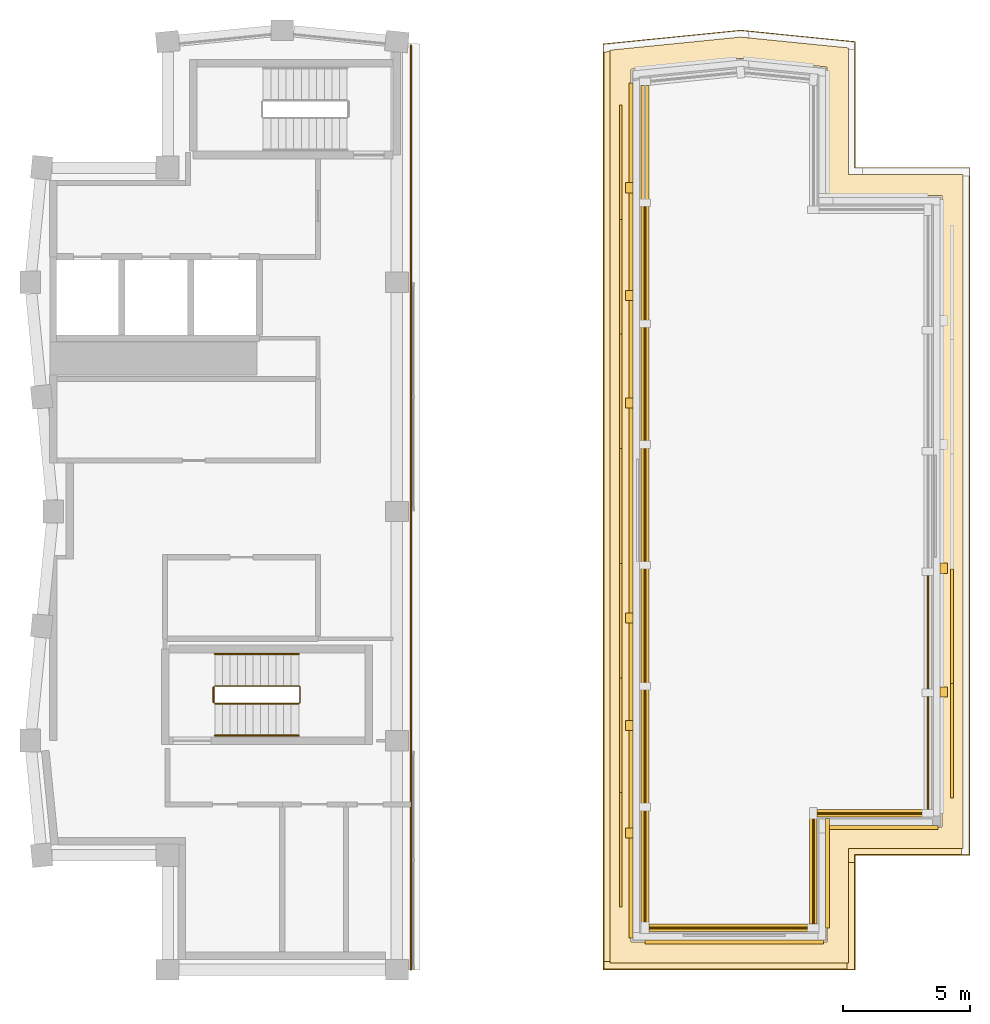
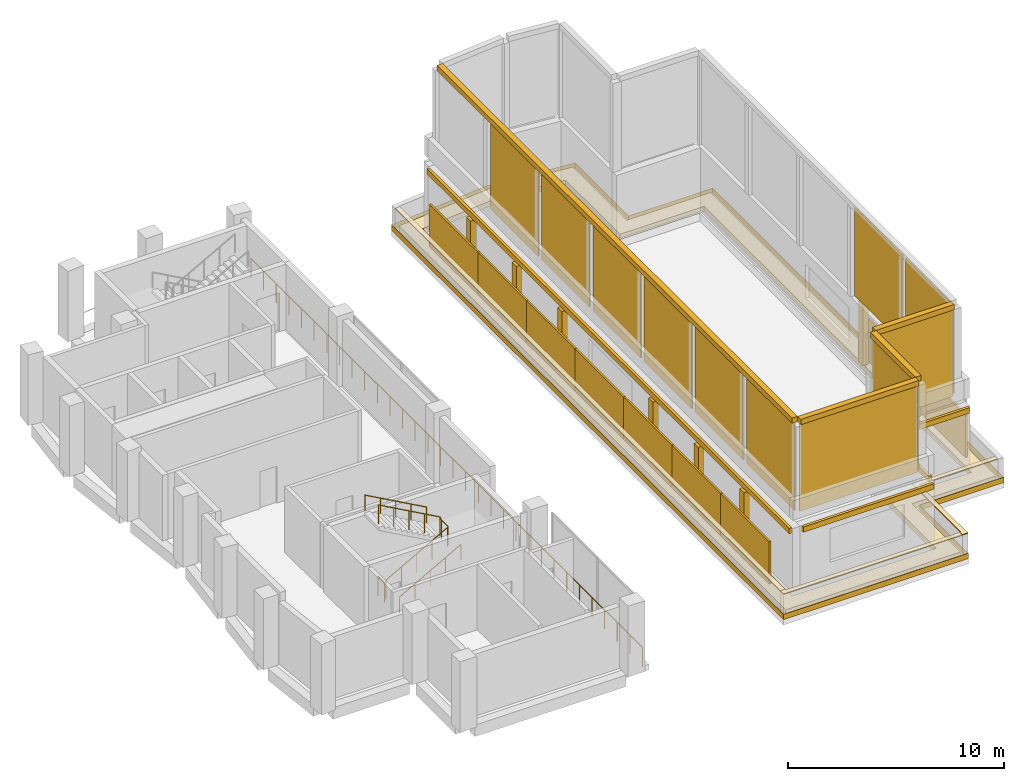
# One storey, part 7 of 8: 42 coverings, 5 railings.
"""IFC4 building model written with IfcOpenShell, lengths in metres."""

from ifc_helpers import new_model, si_unit, direction, frame, origin, origin_2d, place, context, subcontext, project, spatial, polyline, rectangle, circle, outline, extrude, material, layer, layer_set, material_profile, profile_set, type_object, element, save


model = new_model("IFC4")

# Units and contexts
model_context = context("Model", 3, precision=1e-05, world=origin(), true_north=direction((0.0, 1.0)))
body_context = subcontext(model_context, "Body", "Model", "MODEL_VIEW")
ifc_project = project(units=[si_unit("LENGTHUNIT", "METRE"), si_unit("AREAUNIT", "SQUARE_METRE"), si_unit("VOLUMEUNIT", "CUBIC_METRE"), si_unit("PLANEANGLEUNIT", "RADIAN"), si_unit("MASSUNIT", "GRAM", prefix="KILO")], contexts=[model_context])

# Site, building, storey
site_placement = place(None, origin())
site = spatial("IfcSite", under=ifc_project, at=site_placement, CompositionType="ELEMENT")
building_placement = place(site_placement, origin())
building = spatial("IfcBuilding", under=site, at=building_placement, Name="Brondeck Convention Tower", CompositionType="ELEMENT")
storey_placement = place(building_placement, frame((0.0, 0.0, 298.800048828125)))
storey = spatial("IfcBuildingStorey", under=building, at=storey_placement, Name="L74", CompositionType="ELEMENT", Elevation=298.800048828125)

# Coverings
ifc_material_1 = material(Name="Precast concrete C50/60", Category="concrete")
ifc_material_profile = material_profile(ifc_material_1, rectangle(XDim=0.300048828125, YDim=0.300048828125, at=origin_2d()), Name="Crown cap 300 x 300 Precast concrete C50/60")
ifc_profile_set = profile_set([ifc_material_profile], Name="Precast concrete C50/60")
covering_type_1 = type_object("IfcCoveringType", Name="Crown cap 300 x 300 Precast concrete C50/60", PredefinedType="MOLDING", material=ifc_profile_set)
covering_1_placement = place(storey_placement, frame((23.39501953125, 28.64501953125, 9.64990234375), z_axis=(1.0, 0.0, 0.0), x_axis=(0.0, 1.0, 0.0)))
element("IfcCovering", 1, at=covering_1_placement, inside=storey, type_object=covering_type_1, Name="ENV-CB-K2-T1-00", PredefinedType="MOLDING", context=body_context, shape_type="SweptSolid", body=[
    extrude(rectangle(XDim=0.300048828125, YDim=0.300048828125, at=origin_2d()), origin(), (0.0, 0.0, 1.0), 6.31005859375),
])
for number, where, z_axis, x_axis, name in (
    (2, (29.85498046875, 28.794921875, 9.64990234375), (0.0, 1.0, 0.0), (-1.0, 0.0, 0.0), "ENV-CB-K2-T1-01"),
    (3, (30.0048828125, 33.14501953125, 9.64990234375), (1.0, 0.0, 0.0), (0.0, 1.0, 0.0), "ENV-CB-K2-T1-02"),
):
    element("IfcCovering", number, at=place(storey_placement, frame(where, z_axis=z_axis, x_axis=x_axis)), inside=storey, type_object=covering_type_1, Name=name, PredefinedType="MOLDING", context=body_context, shape_type="SweptSolid", body=[
        extrude(rectangle(XDim=0.300048828125, YDim=0.300048828125, at=origin_2d()), origin(), (0.0, 0.0, 1.0), 4.2001953125),
    ])
covering_2_placement = place(storey_placement, frame((23.2451171875, 61.72119140625, 9.64990234375), z_axis=(0.0, -1.0, 0.0), x_axis=(1.0, 0.0, 0.0)))
element("IfcCovering", 4, at=covering_2_placement, inside=storey, type_object=covering_type_1, Name="ENV-CB-K2-T1-08", PredefinedType="MOLDING", context=body_context, shape_type="SweptSolid", body=[
    extrude(rectangle(XDim=0.300048828125, YDim=0.300048828125, at=origin_2d()), origin(), (0.0, 0.0, 1.0), 32.92626953125),
])
ifc_material_2 = material(Name="Aluminium, bronze anodised", Category="aluminium")
ifc_layer_1 = layer(ifc_material_2, 0.06005859375)
ifc_layer_set_1 = layer_set([ifc_layer_1], Name="Crown louvre panel, bronze anodised aluminium")
covering_type_2 = type_object("IfcCoveringType", Name="Crown louvre panel, bronze anodised aluminium", PredefinedType="CLADDING", material=ifc_layer_set_1)
covering_3_placement = place(storey_placement, frame((0.0, 0.0, 4.52001953125)))
element("IfcCovering", 5, at=covering_3_placement, inside=storey, type_object=covering_type_2, Name="ENV-CL-K2-T1-00-0", PredefinedType="CLADDING", context=body_context, shape_type="SweptSolid", body=[
    extrude(outline(polyline([(29.705078125, 28.675048828125), (23.39501953125, 28.675048828125), (23.39501953125, 28.614990234375), (29.705078125, 28.614990234375), (29.705078125, 28.675048828125)])), origin(), (0.0, 0.0, 1.0), 4.97998046875),
])
covering_4_placement = place(storey_placement, frame((0.0, 0.0, 4.52001953125)))
element("IfcCovering", 6, at=covering_4_placement, inside=storey, type_object=covering_type_2, Name="ENV-CL-K2-T1-01-0", PredefinedType="CLADDING", context=body_context, shape_type="SweptSolid", body=[
    extrude(outline(polyline([(29.824951171875, 32.9951171875), (29.824951171875, 28.794921875), (29.885009765625, 28.794921875), (29.885009765625, 32.9951171875), (29.824951171875, 32.9951171875)])), origin(), (0.0, 0.0, 1.0), 4.97998046875),
])
covering_5_placement = place(storey_placement, frame((0.0, 0.0, 4.52001953125)))
element("IfcCovering", 7, at=covering_5_placement, inside=storey, type_object=covering_type_2, Name="ENV-CL-K2-T1-02-0", PredefinedType="CLADDING", context=body_context, shape_type="SweptSolid", body=[
    extrude(outline(polyline([(34.205078125, 33.175048828125), (30.0048828125, 33.175048828125), (30.0048828125, 33.114990234375), (34.205078125, 33.114990234375), (34.205078125, 33.175048828125)])), origin(), (0.0, 0.0, 1.0), 4.97998046875),
])
covering_6_placement = place(storey_placement, frame((0.0, 0.0, 4.52001953125)))
element("IfcCovering", 8, at=covering_6_placement, inside=storey, type_object=covering_type_2, Name="ENV-CL-K2-T1-03-0", PredefinedType="CLADDING", context=body_context, shape_type="SweptSolid", body=[
    extrude(outline(polyline([(34.324951171875, 37.737060546875), (34.324951171875, 33.294921875), (34.385009765625, 33.294921875), (34.385009765625, 37.737060546875), (34.324951171875, 37.737060546875)])), origin(), (0.0, 0.0, 1.0), 4.97998046875),
])
covering_7_placement = place(storey_placement, frame((0.0, 0.0, 4.52001953125)))
element("IfcCovering", 9, at=covering_7_placement, inside=storey, type_object=covering_type_2, Name="ENV-CL-K2-T1-03-1", PredefinedType="CLADDING", context=body_context, shape_type="SweptSolid", body=[
    extrude(outline(polyline([(34.324951171875, 42.47900390625), (34.324951171875, 38.037109375), (34.385009765625, 38.037109375), (34.385009765625, 42.47900390625), (34.324951171875, 42.47900390625)])), origin(), (0.0, 0.0, 1.0), 4.97998046875),
])
covering_8_placement = place(storey_placement, frame((0.0, 0.0, 4.52001953125)))
element("IfcCovering", 10, at=covering_8_placement, inside=storey, type_object=covering_type_2, Name="ENV-CL-K2-T1-08-1", PredefinedType="CLADDING", context=body_context, shape_type="SweptSolid", body=[
    extrude(outline(polyline([(23.27490234375, 52.528076171875), (23.27490234375, 56.974609375), (23.215087890625, 56.974609375), (23.215087890625, 52.528076171875), (23.27490234375, 52.528076171875)])), origin(), (0.0, 0.0, 1.0), 4.97998046875),
])
covering_9_placement = place(storey_placement, frame((0.0, 0.0, 4.52001953125)))
element("IfcCovering", 11, at=covering_9_placement, inside=storey, type_object=covering_type_2, Name="ENV-CL-K2-T1-08-2", PredefinedType="CLADDING", context=body_context, shape_type="SweptSolid", body=[
    extrude(outline(polyline([(23.27490234375, 47.781494140625), (23.27490234375, 52.22802734375), (23.215087890625, 52.22802734375), (23.215087890625, 47.781494140625), (23.27490234375, 47.781494140625)])), origin(), (0.0, 0.0, 1.0), 4.97998046875),
])
covering_10_placement = place(storey_placement, frame((0.0, 0.0, 4.52001953125)))
element("IfcCovering", 12, at=covering_10_placement, inside=storey, type_object=covering_type_2, Name="ENV-CL-K2-T1-08-3", PredefinedType="CLADDING", context=body_context, shape_type="SweptSolid", body=[
    extrude(outline(polyline([(23.27490234375, 43.034912109375), (23.27490234375, 47.4814453125), (23.215087890625, 47.4814453125), (23.215087890625, 43.034912109375), (23.27490234375, 43.034912109375)])), origin(), (0.0, 0.0, 1.0), 4.97998046875),
])
covering_11_placement = place(storey_placement, frame((0.0, 0.0, 4.52001953125)))
element("IfcCovering", 13, at=covering_11_placement, inside=storey, type_object=covering_type_2, Name="ENV-CL-K2-T1-08-4", PredefinedType="CLADDING", context=body_context, shape_type="SweptSolid", body=[
    extrude(outline(polyline([(23.27490234375, 38.2880859375), (23.27490234375, 42.73486328125), (23.215087890625, 42.73486328125), (23.215087890625, 38.2880859375), (23.27490234375, 38.2880859375)])), origin(), (0.0, 0.0, 1.0), 4.97998046875),
])
covering_12_placement = place(storey_placement, frame((0.0, 0.0, 4.52001953125)))
element("IfcCovering", 14, at=covering_12_placement, inside=storey, type_object=covering_type_2, Name="ENV-CL-K2-T1-08-5", PredefinedType="CLADDING", context=body_context, shape_type="SweptSolid", body=[
    extrude(outline(polyline([(23.27490234375, 33.54150390625), (23.27490234375, 37.98828125), (23.215087890625, 37.98828125), (23.215087890625, 33.54150390625), (23.27490234375, 33.54150390625)])), origin(), (0.0, 0.0, 1.0), 4.97998046875),
])
covering_13_placement = place(storey_placement, frame((0.0, 0.0, 4.52001953125)))
element("IfcCovering", 15, at=covering_13_placement, inside=storey, type_object=covering_type_2, Name="ENV-CL-K2-T1-08-6", PredefinedType="CLADDING", context=body_context, shape_type="SweptSolid", body=[
    extrude(outline(polyline([(23.27490234375, 28.794921875), (23.27490234375, 33.24169921875), (23.215087890625, 33.24169921875), (23.215087890625, 28.794921875), (23.27490234375, 28.794921875)])), origin(), (0.0, 0.0, 1.0), 4.97998046875),
])
ifc_material_3 = material(Name="Precast concrete C50/60 bronze finish", Category="concrete")
ifc_layer_2 = layer(ifc_material_3, 0.300048828125)
ifc_layer_set_2 = layer_set([ifc_layer_2], Name="Crown pilaster 400x300")
covering_type_3 = type_object("IfcCoveringType", Name="Crown pilaster 400x300", PredefinedType="CLADDING", material=ifc_layer_set_2)
covering_14_placement = place(storey_placement, frame((0.0, 0.0, 0.300048828125)))
element("IfcCovering", 16, at=covering_14_placement, inside=storey, type_object=covering_type_3, Name="ENV-CP-K2-T1-04-03", PredefinedType="CLADDING", context=body_context, shape_type="SweptSolid", body=[
    extrude(outline(polyline([(35.1298828125, 42.56884765625), (35.1298828125, 42.96875), (34.830078125, 42.96875), (34.830078125, 42.56884765625), (35.1298828125, 42.56884765625)])), origin(), (0.0, 0.0, 1.0), 3.449951171875),
])
covering_15_placement = place(storey_placement, frame((0.0, 0.0, 0.300048828125)))
element("IfcCovering", 17, at=covering_15_placement, inside=storey, type_object=covering_type_3, Name="ENV-CP-K2-T1-04-04", PredefinedType="CLADDING", context=body_context, shape_type="SweptSolid", body=[
    extrude(outline(polyline([(35.1298828125, 37.70849609375), (35.1298828125, 38.1083984375), (34.830078125, 38.1083984375), (34.830078125, 37.70849609375), (35.1298828125, 37.70849609375)])), origin(), (0.0, 0.0, 1.0), 3.449951171875),
])
covering_16_placement = place(storey_placement, frame((0.0, 0.0, 0.300048828125)))
element("IfcCovering", 18, at=covering_16_placement, inside=storey, type_object=covering_type_3, Name="ENV-CP-K2-T1-09-01", PredefinedType="CLADDING", context=body_context, shape_type="SweptSolid", body=[
    extrude(outline(polyline([(22.469970703125, 32.57275390625), (22.469970703125, 32.1728515625), (22.77001953125, 32.1728515625), (22.77001953125, 32.57275390625), (22.469970703125, 32.57275390625)])), origin(), (0.0, 0.0, 1.0), 3.449951171875),
])
covering_17_placement = place(storey_placement, frame((0.0, 0.0, 0.300048828125)))
element("IfcCovering", 19, at=covering_17_placement, inside=storey, type_object=covering_type_3, Name="ENV-CP-K2-T1-09-02", PredefinedType="CLADDING", context=body_context, shape_type="SweptSolid", body=[
    extrude(outline(polyline([(22.469970703125, 36.795654296875), (22.469970703125, 36.3955078125), (22.77001953125, 36.3955078125), (22.77001953125, 36.795654296875), (22.469970703125, 36.795654296875)])), origin(), (0.0, 0.0, 1.0), 3.449951171875),
])
covering_18_placement = place(storey_placement, frame((0.0, 0.0, 0.300048828125)))
element("IfcCovering", 20, at=covering_18_placement, inside=storey, type_object=covering_type_3, Name="ENV-CP-K2-T1-09-03", PredefinedType="CLADDING", context=body_context, shape_type="SweptSolid", body=[
    extrude(outline(polyline([(22.469970703125, 41.018310546875), (22.469970703125, 40.618408203125), (22.77001953125, 40.618408203125), (22.77001953125, 41.018310546875), (22.469970703125, 41.018310546875)])), origin(), (0.0, 0.0, 1.0), 3.449951171875),
])
covering_19_placement = place(storey_placement, frame((0.0, 0.0, 0.300048828125)))
element("IfcCovering", 21, at=covering_19_placement, inside=storey, type_object=covering_type_3, Name="ENV-CP-K2-T1-09-05", PredefinedType="CLADDING", context=body_context, shape_type="SweptSolid", body=[
    extrude(outline(polyline([(22.469970703125, 49.4638671875), (22.469970703125, 49.06396484375), (22.77001953125, 49.06396484375), (22.77001953125, 49.4638671875), (22.469970703125, 49.4638671875)])), origin(), (0.0, 0.0, 1.0), 3.449951171875),
])
covering_20_placement = place(storey_placement, frame((0.0, 0.0, 0.300048828125)))
element("IfcCovering", 22, at=covering_20_placement, inside=storey, type_object=covering_type_3, Name="ENV-CP-K2-T1-09-06", PredefinedType="CLADDING", context=body_context, shape_type="SweptSolid", body=[
    extrude(outline(polyline([(22.469970703125, 53.686767578125), (22.469970703125, 53.28662109375), (22.77001953125, 53.28662109375), (22.77001953125, 53.686767578125), (22.469970703125, 53.686767578125)])), origin(), (0.0, 0.0, 1.0), 3.449951171875),
])
covering_21_placement = place(storey_placement, frame((0.0, 0.0, 0.300048828125)))
element("IfcCovering", 23, at=covering_21_placement, inside=storey, type_object=covering_type_3, Name="ENV-CP-K2-T1-09-07", PredefinedType="CLADDING", context=body_context, shape_type="SweptSolid", body=[
    extrude(outline(polyline([(22.469970703125, 57.909423828125), (22.469970703125, 57.509521484375), (22.77001953125, 57.509521484375), (22.77001953125, 57.909423828125), (22.469970703125, 57.909423828125)])), origin(), (0.0, 0.0, 1.0), 3.449951171875),
])
ifc_layer_3 = layer(ifc_material_3, 0.14990234375)
ifc_layer_set_3 = layer_set([ifc_layer_3], Name="Crown tier cornice, precast")
covering_type_4 = type_object("IfcCoveringType", Name="Crown tier cornice, precast", PredefinedType="MOLDING", material=ifc_layer_set_3)
covering_22_placement = place(storey_placement, frame((0.0, 0.0, 3.75)))
element("IfcCovering", 24, at=covering_22_placement, inside=storey, type_object=covering_type_4, Name="ENV-CC-K2-T1-01", PredefinedType="MOLDING", context=body_context, shape_type="SweptSolid", body=[
    extrude(outline(polyline([(23.25, 28.02001953125), (30.25, 28.02001953125), (30.25, 28.169921875), (23.25, 28.169921875), (23.25, 28.02001953125)])), origin(), (0.0, 0.0, 1.0), 0.300048828125),
])
covering_23_placement = place(storey_placement, frame((0.0, 0.0, 3.75)))
element("IfcCovering", 25, at=covering_23_placement, inside=storey, type_object=covering_type_4, Name="ENV-CC-K2-T1-02", PredefinedType="MOLDING", context=body_context, shape_type="SweptSolid", body=[
    extrude(outline(polyline([(30.47998046875, 28.64990234375), (30.47998046875, 32.949951171875), (30.330078125, 32.949951171875), (30.330078125, 28.64990234375), (30.47998046875, 28.64990234375)])), origin(), (0.0, 0.0, 1.0), 0.300048828125),
])
covering_24_placement = place(storey_placement, frame((0.0, 0.0, 3.75)))
element("IfcCovering", 26, at=covering_24_placement, inside=storey, type_object=covering_type_4, Name="ENV-CC-K2-T1-03", PredefinedType="MOLDING", context=body_context, shape_type="SweptSolid", body=[
    extrude(outline(polyline([(30.449951171875, 32.52001953125), (34.75, 32.52001953125), (34.75, 32.669921875), (30.449951171875, 32.669921875), (30.449951171875, 32.52001953125)])), origin(), (0.0, 0.0, 1.0), 0.300048828125),
])
covering_25_placement = place(storey_placement, frame((0.0, 0.0, 3.75)))
element("IfcCovering", 27, at=covering_25_placement, inside=storey, type_object=covering_type_4, Name="ENV-CC-K2-T1-09", PredefinedType="MOLDING", context=body_context, shape_type="SweptSolid", body=[
    extrude(outline(polyline([(22.6201171875, 61.832275390625), (22.6201171875, 28.25), (22.77001953125, 28.25), (22.77001953125, 61.832275390625), (22.6201171875, 61.832275390625)])), origin(), (0.0, 0.0, 1.0), 0.300048828125),
])

# Railing
ifc_material_4 = material(Name="Steel S355, bronze painted", Category="steel")
railing_type_1 = type_object("IfcRailingType", Name="Guard, bronze steel rail and posts", PredefinedType="GUARDRAIL", material=ifc_material_4)
railing_1_placement = place(storey_placement, frame((14.050048828125, 27.0, 0.0)))
element("IfcRailing", 28, at=railing_1_placement, inside=storey, type_object=railing_type_1, Name="ENV-SLOT-144-L74-RL1", PredefinedType="GUARDRAIL", context=body_context, shape_type="SweptSolid", body=[
    extrude(circle(Radius=0.02490234375, at=origin_2d()), frame((0.0, 0.0, 1.0751953125), z_axis=(0.0, 1.0, 0.0), x_axis=(-1.0, 0.0, 0.0)), (0.0, 0.0, 1.0), 36.294921875),
    extrude(circle(Radius=0.02490234375, at=origin_2d()), origin(), (0.0, 0.0, 1.0), 1.050048828125),
    extrude(circle(Radius=0.02490234375, at=origin_2d()), frame((0.0, 1.1708984375, 0.0)), (0.0, 0.0, 1.0), 1.050048828125),
    extrude(circle(Radius=0.02490234375, at=origin_2d()), frame((0.0, 2.341552734375, 0.0)), (0.0, 0.0, 1.0), 1.050048828125),
    extrude(circle(Radius=0.02490234375, at=origin_2d()), frame((0.0, 3.512451171875, 0.0)), (0.0, 0.0, 1.0), 1.050048828125),
    extrude(circle(Radius=0.02490234375, at=origin_2d()), frame((0.0, 4.68310546875, 0.0)), (0.0, 0.0, 1.0), 1.050048828125),
    extrude(circle(Radius=0.02490234375, at=origin_2d()), frame((0.0, 5.85400390625, 0.0)), (0.0, 0.0, 1.0), 1.050048828125),
    extrude(circle(Radius=0.02490234375, at=origin_2d()), frame((0.0, 7.02490234375, 0.0)), (0.0, 0.0, 1.0), 1.050048828125),
    extrude(circle(Radius=0.02490234375, at=origin_2d()), frame((0.0, 8.195556640625, 0.0)), (0.0, 0.0, 1.0), 1.050048828125),
    extrude(circle(Radius=0.02490234375, at=origin_2d()), frame((0.0, 9.366455078125, 0.0)), (0.0, 0.0, 1.0), 1.050048828125),
    extrude(circle(Radius=0.02490234375, at=origin_2d()), frame((0.0, 10.537353515625, 0.0)), (0.0, 0.0, 1.0), 1.050048828125),
    extrude(circle(Radius=0.02490234375, at=origin_2d()), frame((0.0, 11.7080078125, 0.0)), (0.0, 0.0, 1.0), 1.050048828125),
    extrude(circle(Radius=0.02490234375, at=origin_2d()), frame((0.0, 12.87890625, 0.0)), (0.0, 0.0, 1.0), 1.050048828125),
    extrude(circle(Radius=0.02490234375, at=origin_2d()), frame((0.0, 14.049560546875, 0.0)), (0.0, 0.0, 1.0), 1.050048828125),
    extrude(circle(Radius=0.02490234375, at=origin_2d()), frame((0.0, 15.220458984375, 0.0)), (0.0, 0.0, 1.0), 1.050048828125),
    extrude(circle(Radius=0.02490234375, at=origin_2d()), frame((0.0, 16.391357421875, 0.0)), (0.0, 0.0, 1.0), 1.050048828125),
    extrude(circle(Radius=0.02490234375, at=origin_2d()), frame((0.0, 17.56201171875, 0.0)), (0.0, 0.0, 1.0), 1.050048828125),
    extrude(circle(Radius=0.02490234375, at=origin_2d()), frame((0.0, 18.73291015625, 0.0)), (0.0, 0.0, 1.0), 1.050048828125),
    extrude(circle(Radius=0.02490234375, at=origin_2d()), frame((0.0, 19.903564453125, 0.0)), (0.0, 0.0, 1.0), 1.050048828125),
    extrude(circle(Radius=0.02490234375, at=origin_2d()), frame((0.0, 21.074462890625, 0.0)), (0.0, 0.0, 1.0), 1.050048828125),
    extrude(circle(Radius=0.02490234375, at=origin_2d()), frame((0.0, 22.245361328125, 0.0)), (0.0, 0.0, 1.0), 1.050048828125),
    extrude(circle(Radius=0.02490234375, at=origin_2d()), frame((0.0, 23.416015625, 0.0)), (0.0, 0.0, 1.0), 1.050048828125),
    extrude(circle(Radius=0.02490234375, at=origin_2d()), frame((0.0, 24.5869140625, 0.0)), (0.0, 0.0, 1.0), 1.050048828125),
    extrude(circle(Radius=0.02490234375, at=origin_2d()), frame((0.0, 25.757568359375, 0.0)), (0.0, 0.0, 1.0), 1.050048828125),
    extrude(circle(Radius=0.02490234375, at=origin_2d()), frame((0.0, 26.928466796875, 0.0)), (0.0, 0.0, 1.0), 1.050048828125),
    extrude(circle(Radius=0.02490234375, at=origin_2d()), frame((0.0, 28.099365234375, 0.0)), (0.0, 0.0, 1.0), 1.050048828125),
    extrude(circle(Radius=0.02490234375, at=origin_2d()), frame((0.0, 29.27001953125, 0.0)), (0.0, 0.0, 1.0), 1.050048828125),
    extrude(circle(Radius=0.02490234375, at=origin_2d()), frame((0.0, 30.44091796875, 0.0)), (0.0, 0.0, 1.0), 1.050048828125),
    extrude(circle(Radius=0.02490234375, at=origin_2d()), frame((0.0, 31.61181640625, 0.0)), (0.0, 0.0, 1.0), 1.050048828125),
    extrude(circle(Radius=0.02490234375, at=origin_2d()), frame((0.0, 32.782470703125, 0.0)), (0.0, 0.0, 1.0), 1.050048828125),
    extrude(circle(Radius=0.02490234375, at=origin_2d()), frame((0.0, 33.953369140625, 0.0)), (0.0, 0.0, 1.0), 1.050048828125),
    extrude(circle(Radius=0.02490234375, at=origin_2d()), frame((0.0, 35.1240234375, 0.0)), (0.0, 0.0, 1.0), 1.050048828125),
    extrude(circle(Radius=0.02490234375, at=origin_2d()), frame((0.0, 36.294921875, 0.0)), (0.0, 0.0, 1.0), 1.050048828125),
])

# Coverings
ifc_layer_4 = layer(ifc_material_1, 0.050048828125)
ifc_layer_set_4 = layer_set([ifc_layer_4], Name="Parapet coping, precast")
covering_type_5 = type_object("IfcCoveringType", Name="Parapet coping, precast", PredefinedType="MOLDING", material=ifc_layer_set_4)
covering_26_placement = place(storey_placement, frame((0.0, 0.0, 1.39990234375)))
element("IfcCovering", 29, at=covering_26_placement, inside=storey, type_object=covering_type_5, Name="ENV-ROOF-K2-PA-06-CP", PredefinedType="MOLDING", context=body_context, shape_type="SweptSolid", body=[
    extrude(outline(polyline([(31.22998046875, 31.77001953125), (31.22998046875, 31.219970703125), (31.47998046875, 31.219970703125), (31.47998046875, 31.52001953125), (35.678955078125, 31.52001953125), (35.678955078125, 31.77001953125), (31.22998046875, 31.77001953125)])), origin(), (0.0, 0.0, 1.0), 0.050048828125),
])
covering_27_placement = place(storey_placement, frame((0.0, 0.0, 1.39990234375)))
element("IfcCovering", 30, at=covering_27_placement, inside=storey, type_object=covering_type_5, Name="ENV-ROOF-K2-PA-07-CP", PredefinedType="MOLDING", context=body_context, shape_type="SweptSolid", body=[
    extrude(outline(polyline([(31.22998046875, 27.27001953125), (31.179931640625, 27.27001953125), (31.179931640625, 27.02001953125), (31.47998046875, 27.02001953125), (31.47998046875, 31.218994140625), (31.22998046875, 31.218994140625), (31.22998046875, 27.27001953125)])), origin(), (0.0, 0.0, 1.0), 0.050048828125),
])
covering_28_placement = place(storey_placement, frame((0.0, 0.0, 1.39990234375)))
element("IfcCovering", 31, at=covering_28_placement, inside=storey, type_object=covering_type_5, Name="ENV-ROOF-K2-PA-08-CP", PredefinedType="MOLDING", context=body_context, shape_type="SweptSolid", body=[
    extrude(outline(polyline([(21.8701171875, 27.27001953125), (21.8701171875, 27.320068359375), (21.6201171875, 27.320068359375), (21.6201171875, 27.02001953125), (31.178955078125, 27.02001953125), (31.178955078125, 27.27001953125), (21.8701171875, 27.27001953125)])), origin(), (0.0, 0.0, 1.0), 0.050048828125),
])
covering_29_placement = place(storey_placement, frame((0.0, 0.0, 1.39990234375)))
element("IfcCovering", 32, at=covering_29_placement, inside=storey, type_object=covering_type_5, Name="ENV-ROOF-K2-PA-09-CP", PredefinedType="MOLDING", context=body_context, shape_type="SweptSolid", body=[
    extrude(outline(polyline([(21.8701171875, 27.321044921875), (21.8701171875, 63.064453125), (21.64990234375, 63.04248046875), (21.6201171875, 63.039306640625), (21.6201171875, 63.039306640625), (21.6201171875, 63.039306640625), (21.6201171875, 27.321044921875), (21.8701171875, 27.321044921875)])), origin(), (0.0, 0.0, 1.0), 0.050048828125),
])
ifc_layer_5 = layer(ifc_material_2, 0.10009765625)
ifc_layer_set_5 = layer_set([ifc_layer_5], Name="Plant screen LOUVRE cladding")
covering_type_6 = type_object("IfcCoveringType", Name="Plant screen LOUVRE cladding", PredefinedType="CLADDING", material=ifc_layer_set_5)
for number, where, z_axis, x_axis, name in (
    (33, (22.300048828125, 58.71337890625, 0.300048828125), (0.0, 0.0, 1.0), (0.0, -1.0, 0.0), "ENV-ROOF-K2-LV01"),
    (34, (22.300048828125, 54.21337890625, 0.300048828125), (0.0, 0.0, 1.0), (0.0, -1.0, 0.0), "ENV-ROOF-K2-LV02"),
    (35, (22.300048828125, 49.71337890625, 0.300048828125), (0.0, 0.0, 1.0), (0.0, -1.0, 0.0), "ENV-ROOF-K2-LV03"),
    (36, (22.300048828125, 45.21337890625, 0.300048828125), (0.0, 0.0, 1.0), (0.0, -1.0, 0.0), "ENV-ROOF-K2-LV04"),
    (37, (22.300048828125, 40.71337890625, 0.300048828125), (0.0, 0.0, 1.0), (0.0, -1.0, 0.0), "ENV-ROOF-K2-LV05"),
    (38, (22.300048828125, 36.21337890625, 0.300048828125), (0.0, 0.0, 1.0), (0.0, -1.0, 0.0), "ENV-ROOF-K2-LV06"),
    (39, (22.300048828125, 31.71337890625, 0.300048828125), (0.0, 0.0, 1.0), (0.0, -1.0, 0.0), "ENV-ROOF-K2-LV07"),
    (40, (35.300048828125, 36.0, 0.300048828125), (0.0, 0.0, 1.0), (0.0, 1.0, 0.0), "ENV-ROOF-K2-LV08"),
    (41, (35.300048828125, 40.5, 0.300048828125), (0.0, 0.0, 1.0), (0.0, 1.0, 0.0), "ENV-ROOF-K2-LV09"),
):
    element("IfcCovering", number, at=place(storey_placement, frame(where, z_axis=z_axis, x_axis=x_axis)), inside=storey, type_object=covering_type_6, Name=name, PredefinedType="CLADDING", context=body_context, shape_type="SweptSolid", body=[
        extrude(rectangle(XDim=4.5, YDim=0.10009765625, at=origin_2d()), origin(), (0.0, 0.0, 1.0), 2.39990234375),
    ])
ifc_material_5 = material(Name="Bitumen membrane")
ifc_layer_6 = layer(ifc_material_5, 0.02001953125, Name="Waterproofing")
ifc_material_6 = material(Name="Mineral wool")
ifc_layer_7 = layer(ifc_material_6, 0.280029296875, Name="Insulation")
ifc_layer_set_6 = layer_set([ifc_layer_6, ifc_layer_7], Name="Roof membrane and insulation")
covering_type_7 = type_object("IfcCoveringType", Name="Roof membrane and insulation", PredefinedType="ROOFING", material=ifc_layer_set_6)
covering_30_placement = place(storey_placement, origin())
element("IfcCovering", 42, at=covering_30_placement, inside=storey, type_object=covering_type_7, Name="ENV-ROOF-K2-RF1", PredefinedType="ROOFING", context=body_context, shape_type="SweptSolid", body=[
    extrude(outline(polyline([(21.8701171875, 63.11572265625), (21.8701171875, 27.27001953125), (31.22998046875, 27.27001953125), (31.22998046875, 31.77001953125), (35.72998046875, 31.77001953125), (35.72998046875, 58.22998046875), (31.22998046875, 58.22998046875), (31.22998046875, 63.205810546875), (27.0, 63.628662109375), (21.8701171875, 63.11572265625)]), holes=[polyline([(30.39990234375, 28.10009765625), (22.699951171875, 28.10009765625), (22.699951171875, 62.364501953125), (27.0, 62.79443359375), (30.39990234375, 62.45458984375), (30.39990234375, 57.39990234375), (34.89990234375, 57.39990234375), (34.89990234375, 32.60009765625), (30.39990234375, 32.60009765625), (30.39990234375, 28.10009765625)])]), origin(), (0.0, 0.0, 1.0), 0.300048828125),
])
covering_31_placement = place(storey_placement, origin())
element("IfcCovering", 43, at=covering_31_placement, inside=storey, type_object=covering_type_7, Name="ENV-ROOF-K2-RF2", PredefinedType="ROOFING", context=body_context, shape_type="SweptSolid", body=[
    extrude(outline(polyline([(21.60009765625, 63.360107421875), (21.60009765625, 63.0), (21.60009765625, 27.0), (31.5, 27.0), (31.5, 31.5), (36.0, 31.5), (36.0, 58.5), (31.5, 58.5), (31.5, 63.449951171875), (27.0, 63.89990234375), (21.60009765625, 63.360107421875)]), holes=[polyline([(31.47998046875, 27.02001953125), (21.6201171875, 27.02001953125), (21.6201171875, 63.341796875), (27.0, 63.8798828125), (31.47998046875, 63.431884765625), (31.47998046875, 58.47998046875), (35.97998046875, 58.47998046875), (35.97998046875, 31.52001953125), (31.47998046875, 31.52001953125), (31.47998046875, 27.02001953125)])]), origin(), (0.0, 0.0, 1.0), 0.300048828125),
])

# Railings
ifc_material_7 = material(Name="Steel S355", Category="steel")
railing_type_2 = type_object("IfcRailingType", Name="Stair guard 1100", PredefinedType="GUARDRAIL", material=ifc_material_7)
railing_2_placement = place(storey_placement, frame((6.35009765625, 37.449951171875, 0.16650390625)))
element("IfcRailing", 44, at=railing_2_placement, inside=storey, type_object=railing_type_2, Name="L74 ST-1 stair guard 1", PredefinedType="GUARDRAIL", context=body_context, shape_type="SweptSolid", body=[
    extrude(circle(Radius=0.02392578125, at=origin_2d()), frame((0.0, 0.0, 1.076171875), z_axis=(0.874126768038, 0.0, 0.485697841667), x_axis=(0.0, 1.0, 0.0)), (0.0, 0.0, 1.0), 3.77490234375),
    extrude(circle(Radius=0.02392578125, at=origin_2d()), frame((3.2998046875, 0.0, 2.90966796875), z_axis=(0.707106781187, 0.707106781187, 0.0), x_axis=(-0.707106781187, 0.707106781187, 0.0)), (0.0, 0.0, 1.0), 0.07080078125),
    extrude(circle(Radius=0.02392578125, at=origin_2d()), frame((3.349853515625, 0.050048828125, 2.90966796875), z_axis=(0.0, 1.0, 0.0), x_axis=(-1.0, 0.0, 0.0)), (0.0, 0.0, 1.0), 0.60009765625),
    extrude(circle(Radius=0.02392578125, at=origin_2d()), frame((3.349853515625, 0.650146484375, 2.90966796875), z_axis=(-0.276732813696, 0.275382897532, 0.920642824102), x_axis=(-0.705375805398, -0.708833529934, 0.0)), (0.0, 0.0, 1.0), 0.180908203125),
    extrude(circle(Radius=0.02392578125, at=origin_2d()), frame((3.2998046875, 0.699951171875, 3.076171875), z_axis=(-0.874126768038, 0.0, 0.485697841667), x_axis=(0.0, -1.0, 0.0)), (0.0, 0.0, 1.0), 3.77490234375),
    extrude(circle(Radius=0.02099609375, at=origin_2d()), origin(), (0.0, 0.0, 1.0), 1.052001953125),
    extrude(circle(Radius=0.02099609375, at=origin_2d()), frame((0.824951171875, 0.0, 0.45849609375)), (0.0, 0.0, 1.0), 1.052001953125),
    extrude(circle(Radius=0.02099609375, at=origin_2d()), frame((1.64990234375, 0.0, 0.916748046875)), (0.0, 0.0, 1.0), 1.052001953125),
    extrude(circle(Radius=0.02099609375, at=origin_2d()), frame((2.474853515625, 0.0, 1.375)), (0.0, 0.0, 1.0), 1.052001953125),
    extrude(circle(Radius=0.02099609375, at=origin_2d()), frame((3.2998046875, 0.0, 1.83349609375)), (0.0, 0.0, 1.0), 1.052001953125),
    extrude(circle(Radius=0.02099609375, at=origin_2d()), frame((3.349853515625, 0.050048828125, 1.83349609375)), (0.0, 0.0, 1.0), 1.052001953125),
    extrude(circle(Radius=0.02099609375, at=origin_2d()), frame((3.349853515625, 0.650146484375, 1.83349609375)), (0.0, 0.0, 1.0), 1.052001953125),
    extrude(circle(Radius=0.02099609375, at=origin_2d()), frame((3.2998046875, 0.699951171875, 2.0)), (0.0, 0.0, 1.0), 1.052001953125),
    extrude(circle(Radius=0.02099609375, at=origin_2d()), frame((2.474853515625, 0.699951171875, 2.45849609375)), (0.0, 0.0, 1.0), 1.052001953125),
    extrude(circle(Radius=0.02099609375, at=origin_2d()), frame((1.64990234375, 0.699951171875, 2.916748046875)), (0.0, 0.0, 1.0), 1.052001953125),
    extrude(circle(Radius=0.02099609375, at=origin_2d()), frame((0.824951171875, 0.699951171875, 3.375)), (0.0, 0.0, 1.0), 1.052001953125),
    extrude(circle(Radius=0.02099609375, at=origin_2d()), frame((0.0, 0.699951171875, 3.83349609375)), (0.0, 0.0, 1.0), 1.052001953125),
])
railing_3_placement = place(storey_placement, frame((6.300048828125, 37.5, 0.0)))
element("IfcRailing", 45, at=railing_3_placement, inside=storey, type_object=railing_type_2, Name="L74 ST-1 stair guard 2", PredefinedType="GUARDRAIL", context=body_context, shape_type="SweptSolid", body=[
    extrude(circle(Radius=0.02392578125, at=origin_2d()), frame((0.0, 0.0, 1.076171875), z_axis=(0.0, 1.0, 0.0), x_axis=(-1.0, 0.0, 0.0)), (0.0, 0.0, 1.0), 0.60009765625),
    extrude(circle(Radius=0.02099609375, at=origin_2d()), origin(), (0.0, 0.0, 1.0), 1.052001953125),
    extrude(circle(Radius=0.02099609375, at=origin_2d()), frame((0.0, 0.60009765625, 0.0)), (0.0, 0.0, 1.0), 1.052001953125),
])
railing_type_3 = type_object("IfcRailingType", Name="Stair handrail", PredefinedType="HANDRAIL", material=ifc_material_7)
railing_4_placement = place(storey_placement, frame((6.35009765625, 36.199951171875, 0.16650390625)))
element("IfcRailing", 46, at=railing_4_placement, inside=storey, type_object=railing_type_3, Name="L74 ST-1 stair handrail 1", PredefinedType="HANDRAIL", context=body_context, shape_type="SweptSolid", body=[
    extrude(circle(Radius=0.02392578125, at=origin_2d()), frame((0.0, 0.0, 0.8759765625), z_axis=(0.874126768038, 0.0, 0.485697841667), x_axis=(0.0, 1.0, 0.0)), (0.0, 0.0, 1.0), 3.77490234375),
    extrude(circle(Radius=0.02099609375, at=origin_2d()), origin(), (0.0, 0.0, 1.0), 0.851806640625),
    extrude(circle(Radius=0.02099609375, at=origin_2d()), frame((0.824951171875, 0.0, 0.45849609375)), (0.0, 0.0, 1.0), 0.851806640625),
    extrude(circle(Radius=0.02099609375, at=origin_2d()), frame((1.64990234375, 0.0, 0.916748046875)), (0.0, 0.0, 1.0), 0.851806640625),
    extrude(circle(Radius=0.02099609375, at=origin_2d()), frame((2.474853515625, 0.0, 1.375)), (0.0, 0.0, 1.0), 0.851806640625),
    extrude(circle(Radius=0.02099609375, at=origin_2d()), frame((3.2998046875, 0.0, 1.83349609375)), (0.0, 0.0, 1.0), 0.851806640625),
])
railing_5_placement = place(storey_placement, frame((9.64990234375, 39.39990234375, 2.16650390625)))
element("IfcRailing", 47, at=railing_5_placement, inside=storey, type_object=railing_type_3, Name="L74 ST-1 stair handrail 2", PredefinedType="HANDRAIL", context=body_context, shape_type="SweptSolid", body=[
    extrude(circle(Radius=0.02392578125, at=origin_2d()), frame((0.0, 0.0, 0.8759765625), z_axis=(-0.874126768038, 0.0, 0.485697841667), x_axis=(0.0, -1.0, 0.0)), (0.0, 0.0, 1.0), 3.77490234375),
    extrude(circle(Radius=0.02099609375, at=origin_2d()), origin(), (0.0, 0.0, 1.0), 0.851806640625),
    extrude(circle(Radius=0.02099609375, at=origin_2d()), frame((-0.824951171875, 0.0, 0.45849609375)), (0.0, 0.0, 1.0), 0.851806640625),
    extrude(circle(Radius=0.02099609375, at=origin_2d()), frame((-1.64990234375, 0.0, 0.916748046875)), (0.0, 0.0, 1.0), 0.851806640625),
    extrude(circle(Radius=0.02099609375, at=origin_2d()), frame((-2.474853515625, 0.0, 1.375)), (0.0, 0.0, 1.0), 0.851806640625),
    extrude(circle(Radius=0.02099609375, at=origin_2d()), frame((-3.2998046875, 0.0, 1.83349609375)), (0.0, 0.0, 1.0), 0.851806640625),
])

save(model, "model.ifc")
